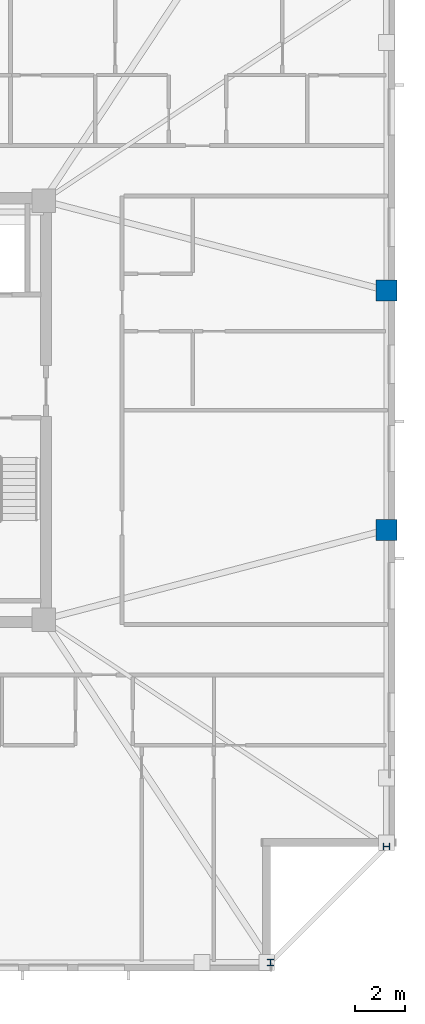
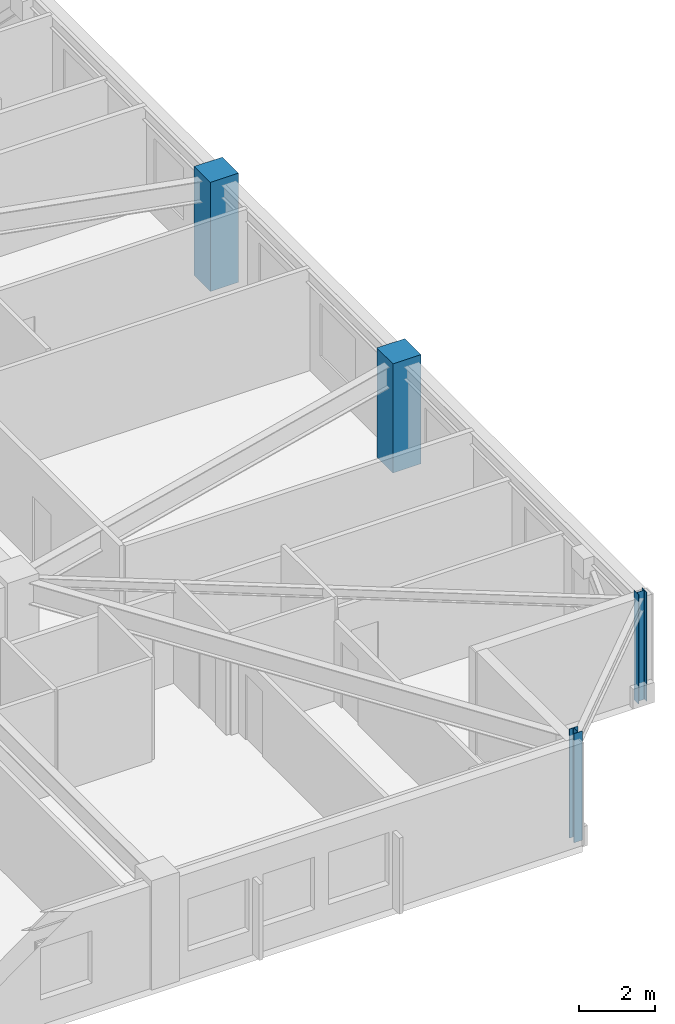
# One storey, part 3 of 17: 4 columns.
"""IFC4 building model written with IfcOpenShell, lengths in metres."""

from ifc_helpers import new_model, si_unit, direction, frame, origin, origin_2d, place, context, subcontext, project, spatial, rectangle, i_section, extrude, material, material_profile, profile_set, type_object, element, save


model = new_model("IFC4")

# Units and contexts
model_context = context("Model", 3, precision=1e-05, world=origin(), true_north=direction((0.0, 1.0)))
body_context = subcontext(model_context, "Body", "Model", "MODEL_VIEW")
ifc_project = project(units=[si_unit("LENGTHUNIT", "METRE"), si_unit("AREAUNIT", "SQUARE_METRE"), si_unit("VOLUMEUNIT", "CUBIC_METRE"), si_unit("PLANEANGLEUNIT", "RADIAN"), si_unit("MASSUNIT", "GRAM", prefix="KILO")], contexts=[model_context])

# Site, building, storey
site_placement = place(None, origin())
site = spatial("IfcSite", under=ifc_project, at=site_placement, CompositionType="ELEMENT")
building_placement = place(site_placement, origin())
building = spatial("IfcBuilding", under=site, at=building_placement, Name="Cairnveth Concourse Tower", CompositionType="ELEMENT")
storey_placement = place(building_placement, frame((0.0, 0.0, 223.5)))
storey = spatial("IfcBuildingStorey", under=building, at=storey_placement, Name="L61", CompositionType="ELEMENT", Elevation=223.5)

# Columns
ifc_material_1 = material(Name="Concrete N65 (65 MPa)", Category="concrete")
ifc_material_profile_1 = material_profile(ifc_material_1, rectangle(XDim=0.85009765625, YDim=0.85009765625, at=origin_2d()), Name="RC-COL-850x850")
ifc_profile_set_1 = profile_set([ifc_material_profile_1], Name="Concrete N65 (65 MPa)")
column_type_1 = type_object("IfcColumnType", Name="PERIMETER PIER COLUMN 850X850", PredefinedType="COLUMN", material=ifc_profile_set_1)
for number, where, z_axis, x_axis, name in (
    (1, (74.14990234375, 34.199951171875, 0.0), (0.0, 0.0, 1.0), (0.0, 1.0, 0.0), "Column P-E2 L61"),
    (2, (74.14990234375, 43.800048828125, 0.0), (0.0, 0.0, 1.0), (0.0, 1.0, 0.0), "Column P-E3 L61"),
):
    element("IfcColumn", number, at=place(storey_placement, frame(where, z_axis=z_axis, x_axis=x_axis)), inside=storey, type_object=column_type_1, Name=name, PredefinedType="COLUMN", context=body_context, shape_type="SweptSolid", body=[
        extrude(rectangle(XDim=0.85009765625, YDim=0.85009765625, at=origin_2d()), origin(), (0.0, 0.0, 1.0), 3.5),
    ])
ifc_material_2 = material(Name="Steel Grade 350", Category="steel")
ifc_material_profile_2 = material_profile(ifc_material_2, i_section(OverallWidth=0.256103515625, OverallDepth=0.260009765625, WebThickness=0.010498046875, FlangeThickness=0.017333984375, FilletRadius=0.012939453125, at=origin_2d()), Name="250UC89.5")
ifc_profile_set_2 = profile_set([ifc_material_profile_2], Name="Steel Grade 350")
column_type_2 = type_object("IfcColumnType", Name="UNIVERSAL STEEL COLUMN 250UC89.5", PredefinedType="COLUMN", material=ifc_profile_set_2)
for number, where, z_axis, x_axis, name in (
    (3, (69.5, 16.85009765625, 0.0), (0.0, 0.0, 1.0), (1.0, 0.0, 0.0), "Column P-S4 L61"),
    (4, (74.14990234375, 21.5, 0.0), (0.0, 0.0, 1.0), (0.0, 1.0, 0.0), "Column P-E1 L61"),
):
    element("IfcColumn", number, at=place(storey_placement, frame(where, z_axis=z_axis, x_axis=x_axis)), inside=storey, type_object=column_type_2, Name=name, PredefinedType="COLUMN", context=body_context, shape_type="SweptSolid", body=[
        extrude(i_section(OverallWidth=0.256103515625, OverallDepth=0.260009765625, WebThickness=0.010498046875, FlangeThickness=0.017333984375, FilletRadius=0.012939453125, at=origin_2d()), origin(), (0.0, 0.0, 1.0), 3.5),
    ])

save(model, "model.ifc")
